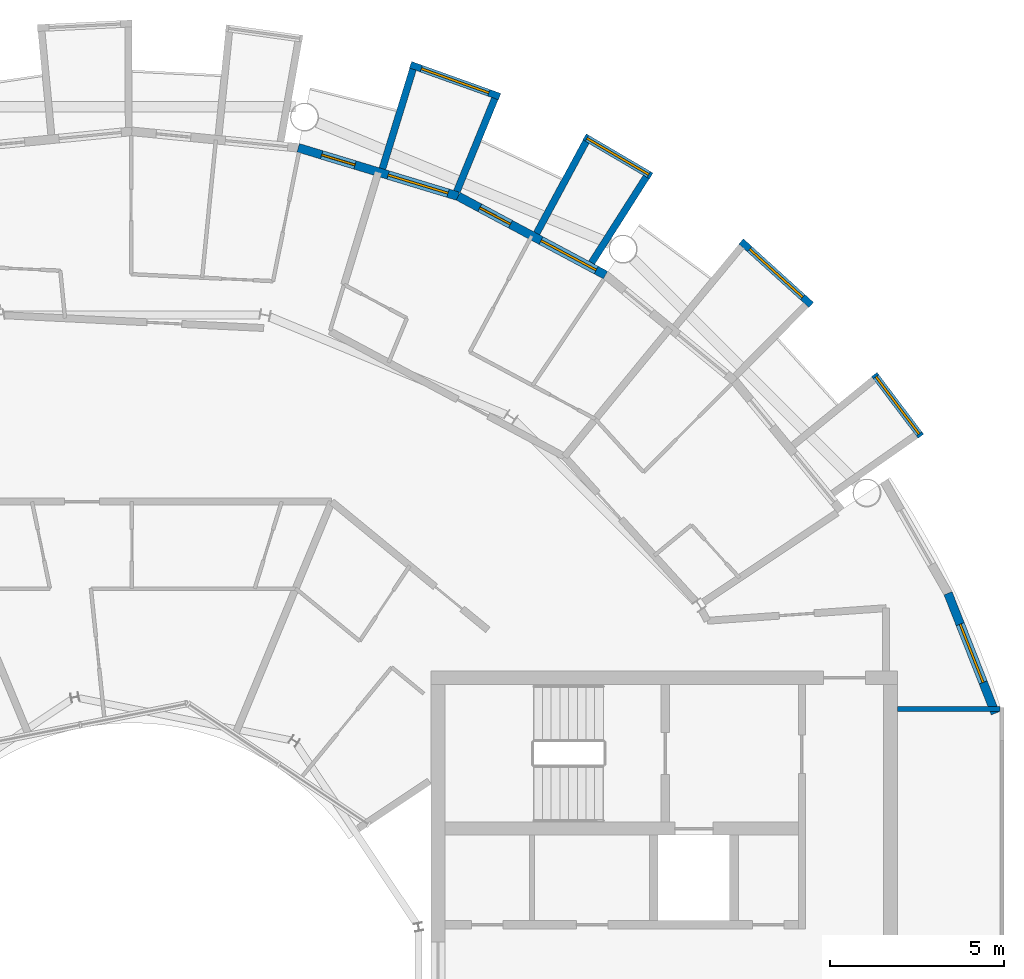
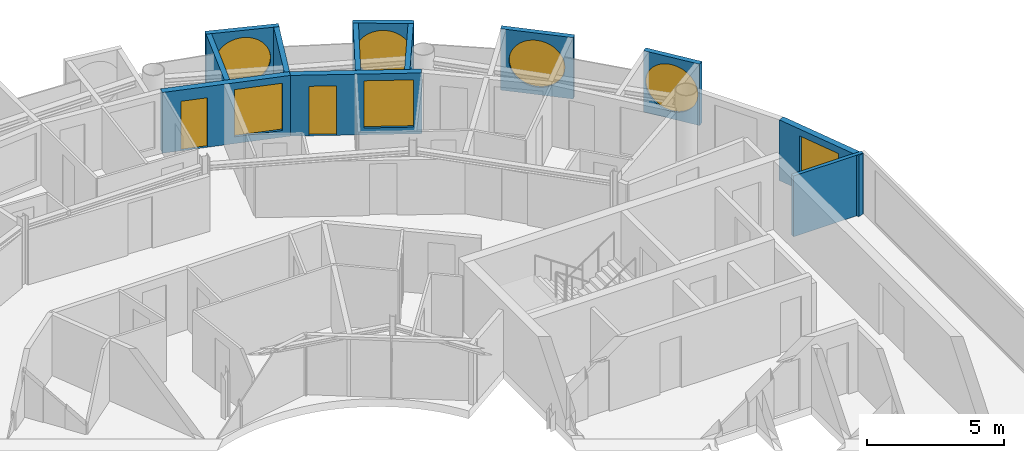
# One storey, part 23 of 27: 12 walls, 7 windows, 2 doors, 9 openings.
"""IFC4 building model written with IfcOpenShell, lengths in metres."""

from ifc_helpers import new_model, si_unit, direction, frame, frame_2d, origin, place, context, subcontext, project, spatial, rectangle, circle, extrude, material, layer, layer_set, type_object, element, fill, save


model = new_model("IFC4")

# Units and contexts
model_context = context("Model", 3, precision=1e-05, world=origin(), true_north=direction((0.0, 1.0)))
body_context = subcontext(model_context, "Body", "Model", "MODEL_VIEW")
ifc_project = project(units=[si_unit("LENGTHUNIT", "METRE"), si_unit("AREAUNIT", "SQUARE_METRE"), si_unit("VOLUMEUNIT", "CUBIC_METRE"), si_unit("PLANEANGLEUNIT", "RADIAN"), si_unit("MASSUNIT", "GRAM", prefix="KILO")], contexts=[model_context])

# Site, building, storey
site_placement = place(None, origin())
site = spatial("IfcSite", under=ifc_project, at=site_placement, CompositionType="ELEMENT")
building_placement = place(site_placement, origin())
building = spatial("IfcBuilding", under=site, at=building_placement, Name="Maasbend Ring Residences", CompositionType="ELEMENT")
storey_placement = place(building_placement, frame((0.0, 0.0, 240.14990234375)))
storey = spatial("IfcBuildingStorey", under=building, at=storey_placement, Name="L69", CompositionType="ELEMENT", Elevation=240.14990234375)

# Wall, opening, window
ifc_material_1 = material(Name="Pale anodised aluminium panel", Category="aluminium")
ifc_layer_1 = layer(ifc_material_1, 0.199951171875)
ifc_layer_set_1 = layer_set([ifc_layer_1], Name="EW-BOX")
wall_type_1 = type_object("IfcWallType", Name="EW-BOX", PredefinedType="SOLIDWALL", material=ifc_layer_set_1)
wall_1_placement = place(storey_placement, frame((22.672119140625, 15.739990234375, -0.02978515625), z_axis=(0.0, 0.0, 1.0), x_axis=(-0.602915500641, 0.797805050803, 0.0)))
wall_1 = element("IfcWall", 1, at=wall_1_placement, inside=storey, type_object=wall_type_1, Name="Box front N01", PredefinedType="SOLIDWALL", context=body_context, shape_type="SweptSolid", body=[
    extrude(rectangle(XDim=2.220947265625, YDim=0.199951171875, at=frame_2d((1.1103515625, 0.0))), origin(), (0.0, 0.0, 1.0), 2.72998046875),
])
opening_1_placement = place(wall_1_placement, frame((0.070556640625, 0.0, 0.330078125)))
opening_1 = element("IfcOpeningElement", 2, at=opening_1_placement, cuts=wall_1, Name="Opening W-RD", PredefinedType="OPENING", context=body_context, shape_type="SweptSolid", body=[
    extrude(circle(Radius=1.0400390625, at=frame_2d((1.0400390625, 1.0400390625))), frame((0.0, 0.10986328125, 0.0), z_axis=(0.0, -1.0, 0.0), x_axis=(1.0, 0.0, 0.0)), (0.0, 0.0, 1.0), 0.219970703125),
])
ifc_material_2 = material(Name="Aluminium and clear glass", Category="aluminium")
window_type_1 = type_object("IfcWindowType", Name="W-RD", PartitioningType="SINGLE_PANEL", PredefinedType="WINDOW", material=ifc_material_2)
window_1_placement = place(opening_1_placement, origin())
window_1 = element("IfcWindow", 3, at=window_1_placement, inside=storey, type_object=window_type_1, Name="Round window N01", OverallHeight=2.080078125, OverallWidth=2.080078125, PartitioningType="SINGLE_PANEL", PredefinedType="WINDOW", context=body_context, shape_type="SweptSolid", body=[
    extrude(circle(Radius=1.0400390625, at=frame_2d((1.0400390625, 1.0400390625))), frame((0.0, 0.030029296875, 0.0), z_axis=(0.0, -1.0, 0.0), x_axis=(1.0, 0.0, 0.0)), (0.0, 0.0, 1.0), 0.06005859375),
])
fill(opening_1, window_1)

wall_2_placement = place(storey_placement, frame((19.52001953125, 19.512939453125, -0.02978515625), z_axis=(0.0, 0.0, 1.0), x_axis=(-0.741016284298, 0.671487056022, 0.0)))
wall_2 = element("IfcWall", 4, at=wall_2_placement, inside=storey, type_object=wall_type_1, Name="Box front N03", PredefinedType="SOLIDWALL", context=body_context, shape_type="SweptSolid", body=[
    extrude(rectangle(XDim=2.7177734375, YDim=0.199951171875, at=frame_2d((1.35888671875, 0.0))), origin(), (0.0, 0.0, 1.0), 2.72998046875),
])
opening_2_placement = place(wall_2_placement, frame((0.319091796875, 0.0, 0.330078125)))
opening_2 = element("IfcOpeningElement", 5, at=opening_2_placement, cuts=wall_2, Name="Opening W-RD", PredefinedType="OPENING", context=body_context, shape_type="SweptSolid", body=[
    extrude(circle(Radius=1.0400390625, at=frame_2d((1.0400390625, 1.0400390625))), frame((0.0, 0.10986328125, 0.0), z_axis=(0.0, -1.0, 0.0), x_axis=(1.0, 0.0, 0.0)), (0.0, 0.0, 1.0), 0.219970703125),
])
window_2_placement = place(opening_2_placement, origin())
window_2 = element("IfcWindow", 6, at=window_2_placement, inside=storey, type_object=window_type_1, Name="Round window N03", OverallHeight=2.080078125, OverallWidth=2.080078125, PartitioningType="SINGLE_PANEL", PredefinedType="WINDOW", context=body_context, shape_type="SweptSolid", body=[
    extrude(circle(Radius=1.0400390625, at=frame_2d((1.0400390625, 1.0400390625))), frame((0.0, 0.030029296875, 0.0), z_axis=(0.0, -1.0, 0.0), x_axis=(1.0, 0.0, 0.0)), (0.0, 0.0, 1.0), 0.06005859375),
])
fill(opening_2, window_2)

wall_3_placement = place(storey_placement, frame((14.923095703125, 23.218017578125, -0.02978515625), z_axis=(0.0, 0.0, 1.0), x_axis=(-0.862340692672, 0.506328480101, 0.0)))
wall_3 = element("IfcWall", 7, at=wall_3_placement, inside=storey, type_object=wall_type_1, Name="Box front N05", PredefinedType="SOLIDWALL", context=body_context, shape_type="SweptSolid", body=[
    extrude(rectangle(XDim=2.221923828125, YDim=0.199951171875, at=frame_2d((1.11083984375, 0.0))), origin(), (0.0, 0.0, 1.0), 2.72998046875),
])
opening_3_placement = place(wall_3_placement, frame((0.070556640625, 0.0, 0.330078125)))
opening_3 = element("IfcOpeningElement", 8, at=opening_3_placement, cuts=wall_3, Name="Opening W-RD", PredefinedType="OPENING", context=body_context, shape_type="SweptSolid", body=[
    extrude(circle(Radius=1.0400390625, at=frame_2d((1.0400390625, 1.0400390625))), frame((0.0, 0.10986328125, 0.0), z_axis=(0.0, -1.0, 0.0), x_axis=(1.0, 0.0, 0.0)), (0.0, 0.0, 1.0), 0.219970703125),
])
window_3_placement = place(opening_3_placement, origin())
window_3 = element("IfcWindow", 9, at=window_3_placement, inside=storey, type_object=window_type_1, Name="Round window N05", OverallHeight=2.080078125, OverallWidth=2.080078125, PartitioningType="SINGLE_PANEL", PredefinedType="WINDOW", context=body_context, shape_type="SweptSolid", body=[
    extrude(circle(Radius=1.0400390625, at=frame_2d((1.0400390625, 1.0400390625))), frame((0.0, 0.030029296875, 0.0), z_axis=(0.0, -1.0, 0.0), x_axis=(1.0, 0.0, 0.0)), (0.0, 0.0, 1.0), 0.06005859375),
])
fill(opening_3, window_3)

# Walls
wall_4_placement = place(storey_placement, frame((13.2109375, 20.72705078125, -0.02978515625), z_axis=(0.0, 0.0, 1.0), x_axis=(0.537551395407, 0.843230986917, 0.0)))
element("IfcWall", 10, at=wall_4_placement, inside=storey, type_object=wall_type_1, Name="Box side wall N05 left", PredefinedType="SOLIDWALL", context=body_context, shape_type="SweptSolid", body=[
    extrude(rectangle(XDim=2.9208984375, YDim=0.199951171875, at=frame_2d((1.46044921875, 0.0))), origin(), (0.0, 0.0, 1.0), 2.72998046875),
])
wall_5_placement = place(storey_placement, frame((11.631103515625, 21.572021484375, -0.02978515625), z_axis=(0.0, 0.0, 1.0), x_axis=(0.474649669009, 0.880174807473, 0.0)))
element("IfcWall", 11, at=wall_5_placement, inside=storey, type_object=wall_type_1, Name="Box side wall N05 right", PredefinedType="SOLIDWALL", context=body_context, shape_type="SweptSolid", body=[
    extrude(rectangle(XDim=2.991455078125, YDim=0.199951171875, at=frame_2d((1.49560546875, 0.0))), origin(), (0.0, 0.0, 1.0), 2.72998046875),
])

# Wall, opening, window
wall_6_placement = place(storey_placement, frame((10.56689453125, 25.4970703125, -0.02978515625), z_axis=(0.0, 0.0, 1.0), x_axis=(-0.941532471443, 0.336922253968, 0.0)))
wall_6 = element("IfcWall", 12, at=wall_6_placement, inside=storey, type_object=wall_type_1, Name="Box front N07", PredefinedType="SOLIDWALL", context=body_context, shape_type="SweptSolid", body=[
    extrude(rectangle(XDim=2.71875, YDim=0.199951171875, at=frame_2d((1.359375, 0.0))), origin(), (0.0, 0.0, 1.0), 2.72998046875),
])
opening_4_placement = place(wall_6_placement, frame((0.319091796875, 0.0, 0.330078125)))
opening_4 = element("IfcOpeningElement", 13, at=opening_4_placement, cuts=wall_6, Name="Opening W-RD", PredefinedType="OPENING", context=body_context, shape_type="SweptSolid", body=[
    extrude(circle(Radius=1.0400390625, at=frame_2d((1.0400390625, 1.0400390625))), frame((0.0, 0.10986328125, 0.0), z_axis=(0.0, -1.0, 0.0), x_axis=(1.0, 0.0, 0.0)), (0.0, 0.0, 1.0), 0.219970703125),
])
window_4_placement = place(opening_4_placement, origin())
window_4 = element("IfcWindow", 14, at=window_4_placement, inside=storey, type_object=window_type_1, Name="Round window N07", OverallHeight=2.080078125, OverallWidth=2.080078125, PartitioningType="SINGLE_PANEL", PredefinedType="WINDOW", context=body_context, shape_type="SweptSolid", body=[
    extrude(circle(Radius=1.0400390625, at=frame_2d((1.0400390625, 1.0400390625))), frame((0.0, 0.030029296875, 0.0), z_axis=(0.0, -1.0, 0.0), x_axis=(1.0, 0.0, 0.0)), (0.0, 0.0, 1.0), 0.06005859375),
])
fill(opening_4, window_4)

# Walls
wall_7_placement = place(storey_placement, frame((9.337890625, 22.777099609375, -0.02978515625), z_axis=(0.0, 0.0, 1.0), x_axis=(0.379219850791, 0.925306600412, 0.0)))
element("IfcWall", 15, at=wall_7_placement, inside=storey, type_object=wall_type_1, Name="Box side wall N07 left", PredefinedType="SOLIDWALL", context=body_context, shape_type="SweptSolid", body=[
    extrude(rectangle(XDim=2.88232421875, YDim=0.199951171875, at=frame_2d((1.441162109375, 0.0))), origin(), (0.0, 0.0, 1.0), 2.72998046875),
])
wall_8_placement = place(storey_placement, frame((7.198974609375, 23.426025390625, -0.02978515625), z_axis=(0.0, 0.0, 1.0), x_axis=(0.293764720054, 0.95587775853, 0.0)))
element("IfcWall", 16, at=wall_8_placement, inside=storey, type_object=wall_type_1, Name="Box side wall N07 right", PredefinedType="SOLIDWALL", context=body_context, shape_type="SweptSolid", body=[
    extrude(rectangle(XDim=2.991943359375, YDim=0.199951171875, at=frame_2d((1.49609375, 0.0))), origin(), (0.0, 0.0, 1.0), 2.72998046875),
])

# Wall, openings, door, window
ifc_material_3 = material(Name="Aluminium clad insulated panel", Category="aluminium")
ifc_layer_2 = layer(ifc_material_3, 0.25)
ifc_layer_set_2 = layer_set([ifc_layer_2], Name="EW-GL")
wall_type_2 = type_object("IfcWallType", Name="EW-GL", PredefinedType="SOLIDWALL", material=ifc_layer_set_2)
wall_9_placement = place(storey_placement, frame((13.611083984375, 20.37109375, 0.0), z_axis=(0.0, 0.0, 1.0), x_axis=(-0.881903608701, 0.471429766731, 0.0)))
wall_9 = element("IfcWall", 17, at=wall_9_placement, inside=storey, type_object=wall_type_2, Name="External wall N03", PredefinedType="SOLIDWALL", context=body_context, shape_type="SweptSolid", body=[
    extrude(rectangle(XDim=4.80224609375, YDim=0.25, at=frame_2d((2.401123046875, 0.0))), origin(), (0.0, 0.0, 1.0), 2.7001953125),
])
opening_5_placement = place(wall_9_placement, frame((0.3037109375, 0.0, 0.300048828125)))
opening_5 = element("IfcOpeningElement", 18, at=opening_5_placement, cuts=wall_9, Name="Opening W-BX", PredefinedType="OPENING", context=body_context, shape_type="SweptSolid", body=[
    extrude(rectangle(XDim=1.800048828125, YDim=2.10009765625, at=frame_2d((0.89990234375, 1.050048828125))), frame((0.0, 0.135009765625, 0.0), z_axis=(0.0, -1.0, 0.0), x_axis=(1.0, 0.0, 0.0)), (0.0, 0.0, 1.0), 0.27001953125),
])
opening_6_placement = place(wall_9_placement, frame((3.09912109375, 0.0, 0.0)))
opening_6 = element("IfcOpeningElement", 19, at=opening_6_placement, cuts=wall_9, Name="Opening D-LG", PredefinedType="OPENING", context=body_context, shape_type="SweptSolid", body=[
    extrude(rectangle(XDim=1.0, YDim=2.199951171875, at=frame_2d((0.5, 1.10009765625))), frame((0.0, 0.135009765625, 0.0), z_axis=(0.0, -1.0, 0.0), x_axis=(1.0, 0.0, 0.0)), (0.0, 0.0, 1.0), 0.27001953125),
])
ifc_material_4 = material(Name="Aluminium and clear glass", Category="aluminium")
door_type = type_object("IfcDoorType", Name="D-LG", OperationType="SINGLE_SWING_LEFT", PredefinedType="DOOR", material=ifc_material_4)
door_1_placement = place(opening_6_placement, origin())
door_1 = element("IfcDoor", 20, at=door_1_placement, inside=storey, type_object=door_type, Name="Loggia door N06", OperationType="SINGLE_SWING_LEFT", OverallHeight=2.199951171875, OverallWidth=1.0, PredefinedType="DOOR", context=body_context, shape_type="SweptSolid", body=[
    extrude(rectangle(XDim=1.0, YDim=2.199951171875, at=frame_2d((0.5, 1.10009765625))), frame((0.0, 0.02490234375, 0.0), z_axis=(0.0, -1.0, 0.0), x_axis=(1.0, 0.0, 0.0)), (0.0, 0.0, 1.0), 0.050048828125),
])
fill(opening_6, door_1)
ifc_material_5 = material(Name="Aluminium and clear glass", Category="aluminium")
window_type_2 = type_object("IfcWindowType", Name="W-BX", PartitioningType="DOUBLE_PANEL_VERTICAL", PredefinedType="WINDOW", material=ifc_material_5)
window_5_placement = place(opening_5_placement, origin())
window_5 = element("IfcWindow", 21, at=window_5_placement, inside=storey, type_object=window_type_2, Name="Window N05 room to box", OverallHeight=2.10009765625, OverallWidth=1.800048828125, PartitioningType="SINGLE_PANEL", PredefinedType="WINDOW", context=body_context, shape_type="SweptSolid", body=[
    extrude(rectangle(XDim=1.800048828125, YDim=2.10009765625, at=frame_2d((0.89990234375, 1.050048828125))), frame((0.0, 0.030029296875, 0.0), z_axis=(0.0, -1.0, 0.0), x_axis=(1.0, 0.0, 0.0)), (0.0, 0.0, 1.0), 0.06005859375),
])
fill(opening_5, window_5)

wall_10_placement = place(storey_placement, frame((9.3759765625, 22.635009765625, 0.0), z_axis=(0.0, 0.0, 1.0), x_axis=(-0.956947414517, 0.290261340605, 0.0)))
wall_10 = element("IfcWall", 22, at=wall_10_placement, inside=storey, type_object=wall_type_2, Name="External wall N04", PredefinedType="SOLIDWALL", context=body_context, shape_type="SweptSolid", body=[
    extrude(rectangle(XDim=4.802734375, YDim=0.25, at=frame_2d((2.4013671875, 0.0))), origin(), (0.0, 0.0, 1.0), 2.7001953125),
])
opening_7_placement = place(wall_10_placement, frame((0.3037109375, 0.0, 0.300048828125)))
opening_7 = element("IfcOpeningElement", 23, at=opening_7_placement, cuts=wall_10, Name="Opening W-BX", PredefinedType="OPENING", context=body_context, shape_type="SweptSolid", body=[
    extrude(rectangle(XDim=1.800048828125, YDim=2.10009765625, at=frame_2d((0.89990234375, 1.050048828125))), frame((0.0, 0.135009765625, 0.0), z_axis=(0.0, -1.0, 0.0), x_axis=(1.0, 0.0, 0.0)), (0.0, 0.0, 1.0), 0.27001953125),
])
opening_8_placement = place(wall_10_placement, frame((3.09912109375, 0.0, 0.0)))
opening_8 = element("IfcOpeningElement", 24, at=opening_8_placement, cuts=wall_10, Name="Opening D-LG", PredefinedType="OPENING", context=body_context, shape_type="SweptSolid", body=[
    extrude(rectangle(XDim=1.0, YDim=2.199951171875, at=frame_2d((0.5, 1.10009765625))), frame((0.0, 0.135009765625, 0.0), z_axis=(0.0, -1.0, 0.0), x_axis=(1.0, 0.0, 0.0)), (0.0, 0.0, 1.0), 0.27001953125),
])
door_2_placement = place(opening_8_placement, origin())
door_2 = element("IfcDoor", 25, at=door_2_placement, inside=storey, type_object=door_type, Name="Loggia door N08", OperationType="SINGLE_SWING_LEFT", OverallHeight=2.199951171875, OverallWidth=1.0, PredefinedType="DOOR", context=body_context, shape_type="SweptSolid", body=[
    extrude(rectangle(XDim=1.0, YDim=2.199951171875, at=frame_2d((0.5, 1.10009765625))), frame((0.0, 0.02490234375, 0.0), z_axis=(0.0, -1.0, 0.0), x_axis=(1.0, 0.0, 0.0)), (0.0, 0.0, 1.0), 0.050048828125),
])
fill(opening_8, door_2)
window_6_placement = place(opening_7_placement, origin())
window_6 = element("IfcWindow", 26, at=window_6_placement, inside=storey, type_object=window_type_2, Name="Window N07 room to box", OverallHeight=2.10009765625, OverallWidth=1.800048828125, PartitioningType="SINGLE_PANEL", PredefinedType="WINDOW", context=body_context, shape_type="SweptSolid", body=[
    extrude(rectangle(XDim=1.800048828125, YDim=2.10009765625, at=frame_2d((0.89990234375, 1.050048828125))), frame((0.0, 0.030029296875, 0.0), z_axis=(0.0, -1.0, 0.0), x_axis=(1.0, 0.0, 0.0)), (0.0, 0.0, 1.0), 0.06005859375),
])
fill(opening_7, window_6)

# Wall, opening, window
ifc_material_6 = material(Name="Aluminium clad insulated panel", Category="aluminium")
ifc_layer_3 = layer(ifc_material_6, 0.25)
ifc_layer_set_3 = layer_set([ifc_layer_3], Name="EW-HORN")
wall_type_3 = type_object("IfcWallType", Name="EW-HORN", PredefinedType="SOLIDWALL", material=ifc_layer_set_3)
wall_11_placement = place(storey_placement, frame((24.80908203125, 7.779052734375, 0.0), z_axis=(0.0, 0.0, 1.0), x_axis=(-0.366351636034, 0.930476479432, 0.0)))
wall_11 = element("IfcWall", 27, at=wall_11_placement, inside=storey, type_object=wall_type_3, Name="Horn wall 1.1", PredefinedType="SOLIDWALL", context=body_context, shape_type="SweptSolid", body=[
    extrude(rectangle(XDim=3.70458984375, YDim=0.25, at=frame_2d((1.852294921875, 0.0))), origin(), (0.0, 0.0, 1.0), 2.7001953125),
])
opening_9_placement = place(wall_11_placement, frame((0.952392578125, 0.0, 0.300048828125)))
opening_9 = element("IfcOpeningElement", 28, at=opening_9_placement, cuts=wall_11, Name="Opening W-BX", PredefinedType="OPENING", context=body_context, shape_type="SweptSolid", body=[
    extrude(rectangle(XDim=1.800048828125, YDim=2.10009765625, at=frame_2d((0.89990234375, 1.050048828125))), frame((0.0, 0.135009765625, 0.0), z_axis=(0.0, -1.0, 0.0), x_axis=(1.0, 0.0, 0.0)), (0.0, 0.0, 1.0), 0.27001953125),
])
window_7_placement = place(opening_9_placement, origin())
window_7 = element("IfcWindow", 29, at=window_7_placement, inside=storey, type_object=window_type_2, Name="Horn window 1.1", OverallHeight=2.10009765625, OverallWidth=1.800048828125, PartitioningType="SINGLE_PANEL", PredefinedType="WINDOW", context=body_context, shape_type="SweptSolid", body=[
    extrude(rectangle(XDim=1.800048828125, YDim=2.10009765625, at=frame_2d((0.89990234375, 1.050048828125))), frame((0.0, 0.030029296875, 0.0), z_axis=(0.0, -1.0, 0.0), x_axis=(1.0, 0.0, 0.0)), (0.0, 0.0, 1.0), 0.06005859375),
])
fill(opening_9, window_7)

# Wall
ifc_material_7 = material(Name="Gypsum board on steel studs", Category="steel")
ifc_layer_4 = layer(ifc_material_7, 0.14990234375)
ifc_layer_set_4 = layer_set([ifc_layer_4], Name="PARTITION 150 EI 60")
wall_type_4 = type_object("IfcWallType", Name="PARTITION 150 EI 60", PredefinedType="PARTITIONING", material=ifc_layer_set_4)
wall_12_placement = place(storey_placement, frame((22.0, 7.89990234375, 0.0), z_axis=(0.0, 0.0, 1.0), x_axis=(1.0, 0.0, 0.0)))
element("IfcWall", 30, at=wall_12_placement, inside=storey, type_object=wall_type_4, Name="L69 core E wall CITN", PredefinedType="PARTITIONING", context=body_context, shape_type="SweptSolid", body=[
    extrude(rectangle(XDim=2.93994140625, YDim=0.14990234375, at=frame_2d((1.469970703125, 0.0))), origin(), (0.0, 0.0, 1.0), 2.7001953125),
])

save(model, "model.ifc")
